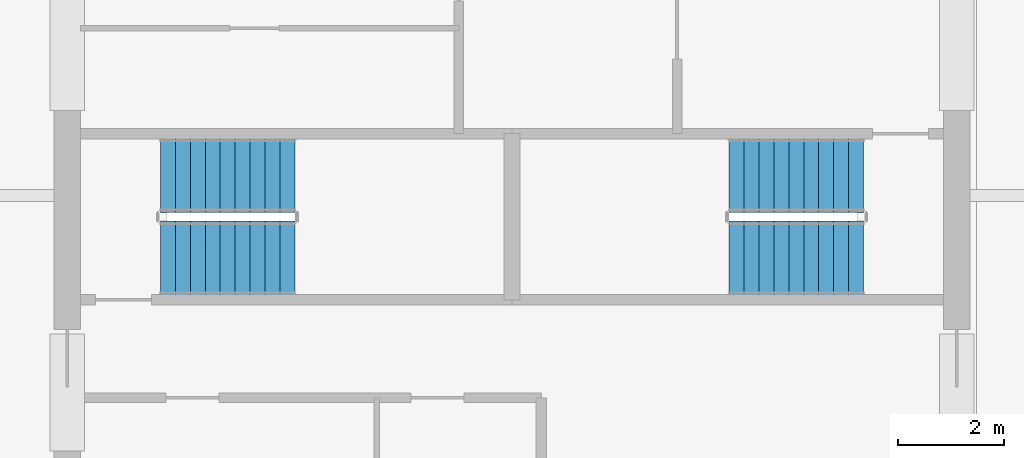
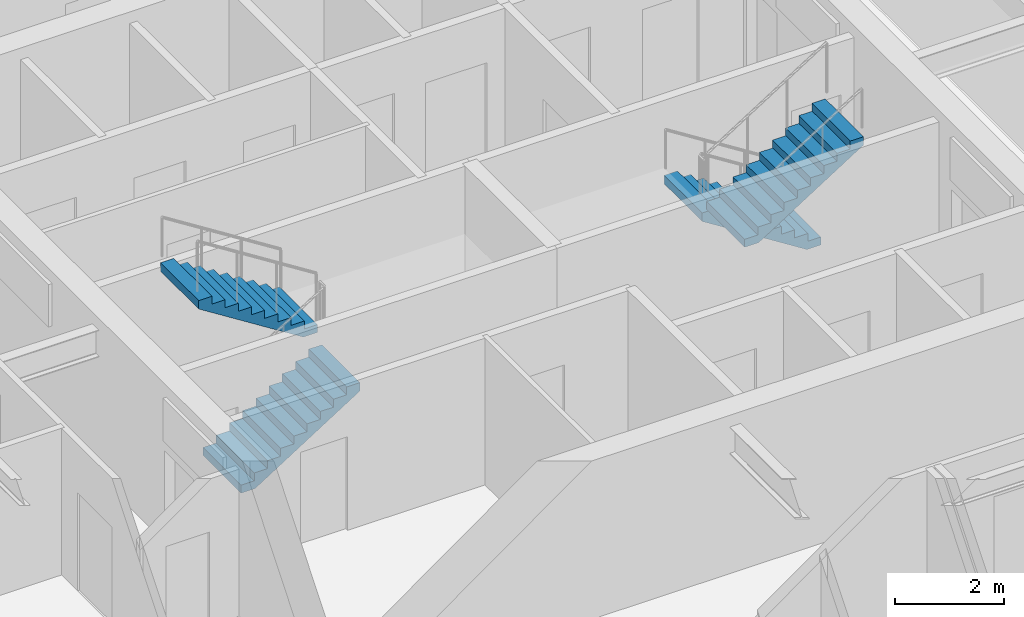
# One storey, part 31 of 33: 4 stair flights, 2 elements without a shape of their own.
"""IFC4 building model written with IfcOpenShell, lengths in metres."""

from ifc_helpers import new_model, si_unit, direction, frame, origin, place, context, subcontext, project, spatial, polyline, outline, extrude, material, type_object, element, aggregate, save


model = new_model("IFC4")

# Units and contexts
model_context = context("Model", 3, precision=1e-05, world=origin(), true_north=direction((0.0, 1.0)))
body_context = subcontext(model_context, "Body", "Model", "MODEL_VIEW")
ifc_project = project(units=[si_unit("LENGTHUNIT", "METRE"), si_unit("AREAUNIT", "SQUARE_METRE"), si_unit("VOLUMEUNIT", "CUBIC_METRE"), si_unit("PLANEANGLEUNIT", "RADIAN"), si_unit("MASSUNIT", "GRAM", prefix="KILO")], contexts=[model_context])

# Site, building, storey
site_placement = place(None, origin())
site = spatial("IfcSite", under=ifc_project, at=site_placement, CompositionType="ELEMENT")
building_placement = place(site_placement, origin())
building = spatial("IfcBuilding", under=site, at=building_placement, Name="Drelvath Grand Hotel", CompositionType="ELEMENT")
storey_placement = place(building_placement, frame((0.0, 0.0, 178.800048828125)))
storey = spatial("IfcBuildingStorey", under=building, at=storey_placement, Name="L46", CompositionType="ELEMENT", Elevation=178.800048828125)

# Stair, stair flights
ifc_material = material(Name="Concrete C40/50", Category="concrete")
stair_type = type_object("IfcStairType", Name="Dogleg Exit Stair W1400-R177.5", PredefinedType="HALF_TURN_STAIR", material=ifc_material)
stair_1_placement = place(storey_placement, origin())
stair_1 = element("IfcStair", 1, at=stair_1_placement, inside=storey, type_object=stair_type, Name="L46 Core Exit Stair ST-1", PredefinedType="HALF_TURN_STAIR")
stair_flight_type = type_object("IfcStairFlightType", Name="Concrete Stair Flight W1400-R177.5", PredefinedType="STRAIGHT", material=ifc_material)
stair_flight_1_placement = place(storey_placement, frame((-6.60009765625, 25.820068359375, 0.0), z_axis=(0.0, 0.0, 1.0), x_axis=(1.0, 0.0, 0.0)))
stair_flight_1 = element("IfcStairFlight", 2, at=stair_flight_1_placement, type_object=stair_flight_type, Name="ST-1 flight 1", NumberOfRisers=10, NumberOfTreads=9, PredefinedType="STRAIGHT", RiserHeight=0.1775, TreadLength=0.28, context=body_context, shape_type="SweptSolid", body=[
    extrude(outline(polyline([(0.0, 0.0), (0.0, 0.177490234375), (0.280029296875, 0.177490234375), (0.280029296875, 0.35498046875), (0.56005859375, 0.35498046875), (0.56005859375, 0.532470703125), (0.840087890625, 0.532470703125), (0.840087890625, 0.7099609375), (1.1201171875, 0.7099609375), (1.1201171875, 0.887451171875), (1.39990234375, 0.887451171875), (1.39990234375, 1.06494140625), (1.679931640625, 1.06494140625), (1.679931640625, 1.242431640625), (1.9599609375, 1.242431640625), (1.9599609375, 1.419921875), (2.239990234375, 1.419921875), (2.239990234375, 1.597412109375), (2.52001953125, 1.597412109375), (2.52001953125, 1.77490234375), (2.52001953125, 1.408203125), (0.298583984375, 0.0), (0.0, 0.0)])), frame((0.0, 0.699951171875, 0.0), z_axis=(0.0, -1.0, 0.0), x_axis=(1.0, 0.0, 0.0)), (0.0, 0.0, 1.0), 1.39990234375),
])
stair_flight_2_placement = place(storey_placement, frame((-4.080078125, 27.3798828125, 1.77490234375), z_axis=(0.0, 0.0, 1.0), x_axis=(-1.0, 0.0, 0.0)))
stair_flight_2 = element("IfcStairFlight", 3, at=stair_flight_2_placement, type_object=stair_flight_type, Name="ST-1 flight 2", NumberOfRisers=10, NumberOfTreads=9, PredefinedType="STRAIGHT", RiserHeight=0.1775, TreadLength=0.28, context=body_context, shape_type="SweptSolid", body=[
    extrude(outline(polyline([(0.0, 0.0), (0.0, 0.177490234375), (0.280029296875, 0.177490234375), (0.280029296875, 0.35498046875), (0.56005859375, 0.35498046875), (0.56005859375, 0.532470703125), (0.840087890625, 0.532470703125), (0.840087890625, 0.7099609375), (1.1201171875, 0.7099609375), (1.1201171875, 0.887451171875), (1.39990234375, 0.887451171875), (1.39990234375, 1.06494140625), (1.679931640625, 1.06494140625), (1.679931640625, 1.242431640625), (1.9599609375, 1.242431640625), (1.9599609375, 1.419921875), (2.239990234375, 1.419921875), (2.239990234375, 1.597412109375), (2.52001953125, 1.597412109375), (2.52001953125, 1.77490234375), (2.52001953125, 1.408203125), (0.298583984375, 0.0), (0.0, 0.0)])), frame((0.0, 0.699951171875, 0.0), z_axis=(0.0, -1.0, 0.0), x_axis=(1.0, 0.0, 0.0)), (0.0, 0.0, 1.0), 1.39990234375),
])
aggregate(stair_1, [stair_flight_1, stair_flight_2])

stair_2_placement = place(storey_placement, origin())
stair_2 = element("IfcStair", 4, at=stair_2_placement, inside=storey, type_object=stair_type, Name="L46 Core Exit Stair ST-2", PredefinedType="HALF_TURN_STAIR")
stair_flight_3_placement = place(storey_placement, frame((6.60009765625, 27.3798828125, 0.0), z_axis=(0.0, 0.0, 1.0), x_axis=(-1.0, 0.0, 0.0)))
stair_flight_3 = element("IfcStairFlight", 5, at=stair_flight_3_placement, type_object=stair_flight_type, Name="ST-2 flight 1", NumberOfRisers=10, NumberOfTreads=9, PredefinedType="STRAIGHT", RiserHeight=0.1775, TreadLength=0.28, context=body_context, shape_type="SweptSolid", body=[
    extrude(outline(polyline([(0.0, 0.0), (0.0, 0.177490234375), (0.280029296875, 0.177490234375), (0.280029296875, 0.35498046875), (0.56005859375, 0.35498046875), (0.56005859375, 0.532470703125), (0.840087890625, 0.532470703125), (0.840087890625, 0.7099609375), (1.1201171875, 0.7099609375), (1.1201171875, 0.887451171875), (1.39990234375, 0.887451171875), (1.39990234375, 1.06494140625), (1.679931640625, 1.06494140625), (1.679931640625, 1.242431640625), (1.9599609375, 1.242431640625), (1.9599609375, 1.419921875), (2.239990234375, 1.419921875), (2.239990234375, 1.597412109375), (2.52001953125, 1.597412109375), (2.52001953125, 1.77490234375), (2.52001953125, 1.408203125), (0.298583984375, 0.0), (0.0, 0.0)])), frame((0.0, 0.699951171875, 0.0), z_axis=(0.0, -1.0, 0.0), x_axis=(1.0, 0.0, 0.0)), (0.0, 0.0, 1.0), 1.39990234375),
])
stair_flight_4_placement = place(storey_placement, frame((4.080078125, 25.820068359375, 1.77490234375), z_axis=(0.0, 0.0, 1.0), x_axis=(1.0, 0.0, 0.0)))
stair_flight_4 = element("IfcStairFlight", 6, at=stair_flight_4_placement, type_object=stair_flight_type, Name="ST-2 flight 2", NumberOfRisers=10, NumberOfTreads=9, PredefinedType="STRAIGHT", RiserHeight=0.1775, TreadLength=0.28, context=body_context, shape_type="SweptSolid", body=[
    extrude(outline(polyline([(0.0, 0.0), (0.0, 0.177490234375), (0.280029296875, 0.177490234375), (0.280029296875, 0.35498046875), (0.56005859375, 0.35498046875), (0.56005859375, 0.532470703125), (0.840087890625, 0.532470703125), (0.840087890625, 0.7099609375), (1.1201171875, 0.7099609375), (1.1201171875, 0.887451171875), (1.39990234375, 0.887451171875), (1.39990234375, 1.06494140625), (1.679931640625, 1.06494140625), (1.679931640625, 1.242431640625), (1.9599609375, 1.242431640625), (1.9599609375, 1.419921875), (2.239990234375, 1.419921875), (2.239990234375, 1.597412109375), (2.52001953125, 1.597412109375), (2.52001953125, 1.77490234375), (2.52001953125, 1.408203125), (0.298583984375, 0.0), (0.0, 0.0)])), frame((0.0, 0.699951171875, 0.0), z_axis=(0.0, -1.0, 0.0), x_axis=(1.0, 0.0, 0.0)), (0.0, 0.0, 1.0), 1.39990234375),
])
aggregate(stair_2, [stair_flight_3, stair_flight_4])

save(model, "model.ifc")
